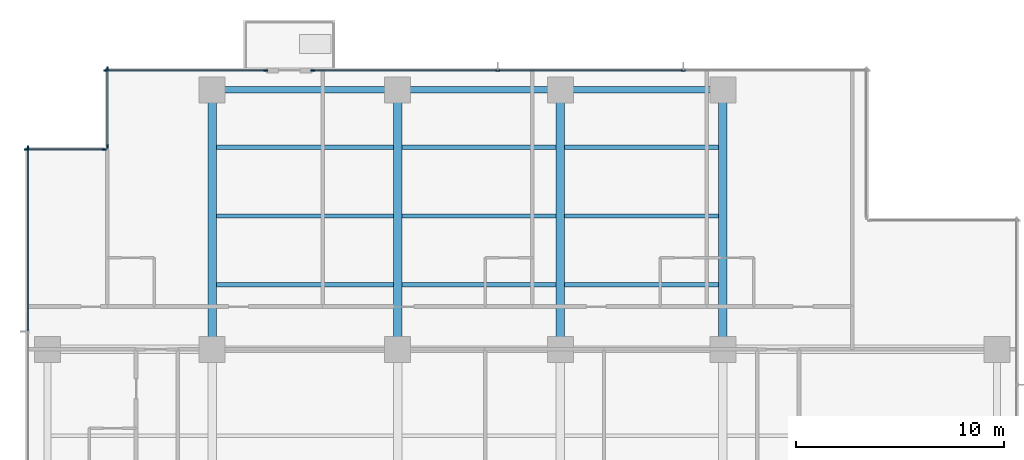
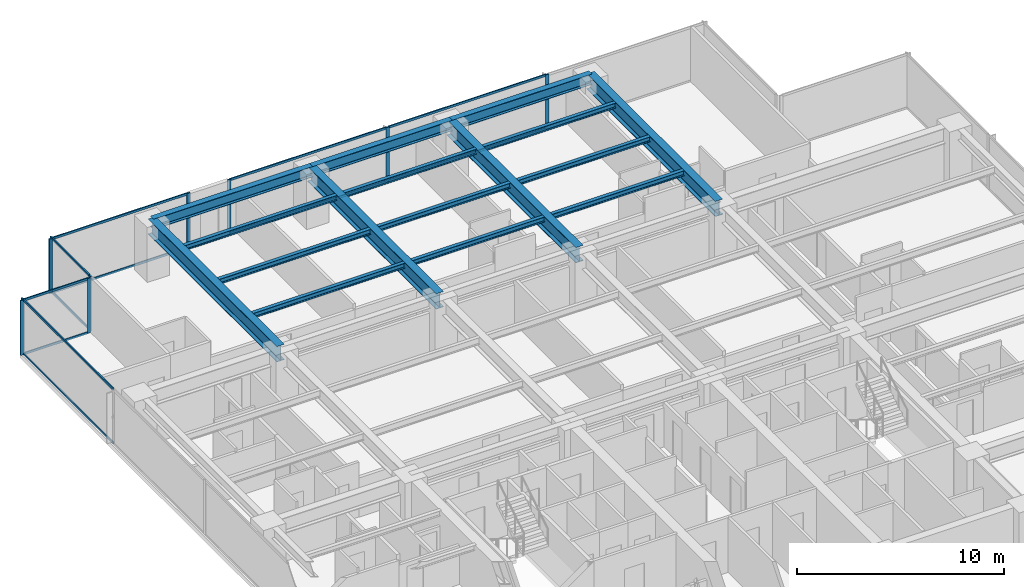
# One storey, part 5 of 18: 22 members, 16 beams, 5 elements without a shape of their own.
"""IFC4 building model written with IfcOpenShell, lengths in metres."""

from ifc_helpers import new_model, si_unit, direction, frame, origin, origin_2d, place, context, subcontext, project, spatial, rectangle, i_section, extrude, material, layer, layer_set, material_profile, profile_set, type_object, element, aggregate, save


model = new_model("IFC4")

# Units and contexts
model_context = context("Model", 3, precision=1e-05, world=origin(), true_north=direction((0.0, 1.0)))
body_context = subcontext(model_context, "Body", "Model", "MODEL_VIEW")
ifc_project = project(units=[si_unit("LENGTHUNIT", "METRE"), si_unit("AREAUNIT", "SQUARE_METRE"), si_unit("VOLUMEUNIT", "CUBIC_METRE"), si_unit("PLANEANGLEUNIT", "RADIAN"), si_unit("MASSUNIT", "GRAM", prefix="KILO")], contexts=[model_context])

# Site, building, storey
site_placement = place(None, origin())
site = spatial("IfcSite", under=ifc_project, at=site_placement, CompositionType="ELEMENT")
building_placement = place(site_placement, origin())
building = spatial("IfcBuilding", under=site, at=building_placement, Name="Qalmaran Belvedere Hotel", CompositionType="ELEMENT")
storey_placement = place(building_placement, frame((0.0, 0.0, 95.199951171875)))
storey = spatial("IfcBuildingStorey", under=building, at=storey_placement, Name="L23", CompositionType="ELEMENT", Elevation=95.199951171875)

# Beams
ifc_material_1 = material(Name="Steel S355JR", Category="steel")
ifc_material_profile_1 = material_profile(ifc_material_1, i_section(OverallWidth=0.202880859375, OverallDepth=0.302978515625, WebThickness=0.007568359375, FlangeThickness=0.01318359375, FilletRadius=0.012939453125, at=origin_2d()), Name="W310X60")
ifc_profile_set_1 = profile_set([ifc_material_profile_1], Name="Steel S355JR")
beam_type_1 = type_object("IfcBeamType", Name="BM-JST-W310X60", PredefinedType="JOIST", material=ifc_profile_set_1)
beam_1_placement = place(storey_placement, frame((20.507080078125, 36.10009765625, 3.088623046875), z_axis=(1.0, 0.0, 0.0), x_axis=(0.0, 1.0, 0.0)))
element("IfcBeam", 1, at=beam_1_placement, inside=storey, type_object=beam_type_1, Name="L23 North Floor Joist 042", PredefinedType="JOIST", context=body_context, shape_type="SweptSolid", body=[
    extrude(i_section(OverallWidth=0.202880859375, OverallDepth=0.302978515625, WebThickness=0.007568359375, FlangeThickness=0.01318359375, FilletRadius=0.012939453125, at=origin_2d()), origin(), (0.0, 0.0, 1.0), 8.48583984375),
])
for number, where, z_axis, x_axis, name in (
    (2, (29.406982421875, 36.10009765625, 3.088623046875), (1.0, 0.0, 0.0), (0.0, 1.0, 0.0), "L23 North Floor Joist 043"),
    (3, (37.20703125, 36.10009765625, 3.088623046875), (1.0, 0.0, 0.0), (0.0, 1.0, 0.0), "L23 North Floor Joist 044"),
):
    element("IfcBeam", number, at=place(storey_placement, frame(where, z_axis=z_axis, x_axis=x_axis)), inside=storey, type_object=beam_type_1, Name=name, PredefinedType="JOIST", context=body_context, shape_type="SweptSolid", body=[
        extrude(i_section(OverallWidth=0.202880859375, OverallDepth=0.302978515625, WebThickness=0.007568359375, FlangeThickness=0.01318359375, FilletRadius=0.012939453125, at=origin_2d()), origin(), (0.0, 0.0, 1.0), 7.385986328125),
    ])
beam_2_placement = place(storey_placement, frame((20.507080078125, 39.39990234375, 3.088623046875), z_axis=(1.0, 0.0, 0.0), x_axis=(0.0, 1.0, 0.0)))
element("IfcBeam", 4, at=beam_2_placement, inside=storey, type_object=beam_type_1, Name="L23 North Floor Joist 045", PredefinedType="JOIST", context=body_context, shape_type="SweptSolid", body=[
    extrude(i_section(OverallWidth=0.202880859375, OverallDepth=0.302978515625, WebThickness=0.007568359375, FlangeThickness=0.01318359375, FilletRadius=0.012939453125, at=origin_2d()), origin(), (0.0, 0.0, 1.0), 8.48583984375),
])
for number, where, z_axis, x_axis, name in (
    (5, (29.406982421875, 39.39990234375, 3.088623046875), (1.0, 0.0, 0.0), (0.0, 1.0, 0.0), "L23 North Floor Joist 046"),
    (6, (37.20703125, 39.39990234375, 3.088623046875), (1.0, 0.0, 0.0), (0.0, 1.0, 0.0), "L23 North Floor Joist 047"),
):
    element("IfcBeam", number, at=place(storey_placement, frame(where, z_axis=z_axis, x_axis=x_axis)), inside=storey, type_object=beam_type_1, Name=name, PredefinedType="JOIST", context=body_context, shape_type="SweptSolid", body=[
        extrude(i_section(OverallWidth=0.202880859375, OverallDepth=0.302978515625, WebThickness=0.007568359375, FlangeThickness=0.01318359375, FilletRadius=0.012939453125, at=origin_2d()), origin(), (0.0, 0.0, 1.0), 7.385986328125),
    ])
beam_3_placement = place(storey_placement, frame((20.507080078125, 42.699951171875, 3.088623046875), z_axis=(1.0, 0.0, 0.0), x_axis=(0.0, 1.0, 0.0)))
element("IfcBeam", 7, at=beam_3_placement, inside=storey, type_object=beam_type_1, Name="L23 North Floor Joist 048", PredefinedType="JOIST", context=body_context, shape_type="SweptSolid", body=[
    extrude(i_section(OverallWidth=0.202880859375, OverallDepth=0.302978515625, WebThickness=0.007568359375, FlangeThickness=0.01318359375, FilletRadius=0.012939453125, at=origin_2d()), origin(), (0.0, 0.0, 1.0), 8.48583984375),
])
for number, where, z_axis, x_axis, name in (
    (8, (29.406982421875, 42.699951171875, 3.088623046875), (1.0, 0.0, 0.0), (0.0, 1.0, 0.0), "L23 North Floor Joist 049"),
    (9, (37.20703125, 42.699951171875, 3.088623046875), (1.0, 0.0, 0.0), (0.0, 1.0, 0.0), "L23 North Floor Joist 050"),
):
    element("IfcBeam", number, at=place(storey_placement, frame(where, z_axis=z_axis, x_axis=x_axis)), inside=storey, type_object=beam_type_1, Name=name, PredefinedType="JOIST", context=body_context, shape_type="SweptSolid", body=[
        extrude(i_section(OverallWidth=0.202880859375, OverallDepth=0.302978515625, WebThickness=0.007568359375, FlangeThickness=0.01318359375, FilletRadius=0.012939453125, at=origin_2d()), origin(), (0.0, 0.0, 1.0), 7.385986328125),
    ])
ifc_material_profile_2 = material_profile(ifc_material_1, i_section(OverallWidth=0.41796875, OverallDepth=0.912109375, WebThickness=0.019287109375, FlangeThickness=0.031982421875, FilletRadius=0.02392578125, at=origin_2d()), Name="W920X342")
ifc_profile_set_2 = profile_set([ifc_material_profile_2], Name="Steel S355JR")
beam_type_2 = type_object("IfcBeamType", Name="BM-PG2-W920X342", PredefinedType="USERDEFINED", material=ifc_profile_set_2)
for number, where, z_axis, x_axis, name in (
    (10, (20.300048828125, 33.0, 2.783935546875), (0.0, 1.0, 0.0), (-1.0, 0.0, 0.0), "L23 North Bay Girder 15"),
    (11, (29.199951171875, 33.0, 2.783935546875), (0.0, 1.0, 0.0), (-1.0, 0.0, 0.0), "L23 North Bay Girder 17"),
    (12, (37.0, 33.0, 2.783935546875), (0.0, 1.0, 0.0), (-1.0, 0.0, 0.0), "L23 North Bay Girder 19"),
    (13, (44.800048828125, 33.0, 2.783935546875), (0.0, 1.0, 0.0), (-1.0, 0.0, 0.0), "L23 North Bay Girder 21"),
):
    element("IfcBeam", number, at=place(storey_placement, frame(where, z_axis=z_axis, x_axis=x_axis)), inside=storey, type_object=beam_type_2, Name=name, ObjectType="GIRDER", PredefinedType="USERDEFINED", context=body_context, shape_type="SweptSolid", body=[
        extrude(i_section(OverallWidth=0.41796875, OverallDepth=0.912109375, WebThickness=0.019287109375, FlangeThickness=0.031982421875, FilletRadius=0.02392578125, at=origin_2d()), origin(), (0.0, 0.0, 1.0), 12.449951171875),
    ])
ifc_material_profile_3 = material_profile(ifc_material_1, i_section(OverallWidth=0.326904296875, OverallDepth=0.6220703125, WebThickness=0.015380859375, FlangeThickness=0.0244140625, FilletRadius=0.02001953125, at=origin_2d()), Name="W610X195")
ifc_profile_set_3 = profile_set([ifc_material_profile_3], Name="Steel S355JR")
beam_type_3 = type_object("IfcBeamType", Name="BM-SP1-W610X195", PredefinedType="SPANDREL", material=ifc_profile_set_3)
beam_4_placement = place(storey_placement, frame((20.300048828125, 45.449951171875, 2.928955078125), z_axis=(1.0, 0.0, 0.0), x_axis=(0.0, 1.0, 0.0)))
element("IfcBeam", 14, at=beam_4_placement, inside=storey, type_object=beam_type_3, Name="L23 Perimeter Spandrel 05", PredefinedType="SPANDREL", context=body_context, shape_type="SweptSolid", body=[
    extrude(i_section(OverallWidth=0.326904296875, OverallDepth=0.6220703125, WebThickness=0.015380859375, FlangeThickness=0.0244140625, FilletRadius=0.02001953125, at=origin_2d()), origin(), (0.0, 0.0, 1.0), 8.89990234375),
])
for number, where, z_axis, x_axis, name in (
    (15, (29.199951171875, 45.449951171875, 2.928955078125), (1.0, 0.0, 0.0), (0.0, 1.0, 0.0), "L23 Perimeter Spandrel 06"),
    (16, (37.0, 45.449951171875, 2.928955078125), (1.0, 0.0, 0.0), (0.0, 1.0, 0.0), "L23 Perimeter Spandrel 07"),
):
    element("IfcBeam", number, at=place(storey_placement, frame(where, z_axis=z_axis, x_axis=x_axis)), inside=storey, type_object=beam_type_3, Name=name, PredefinedType="SPANDREL", context=body_context, shape_type="SweptSolid", body=[
        extrude(i_section(OverallWidth=0.326904296875, OverallDepth=0.6220703125, WebThickness=0.015380859375, FlangeThickness=0.0244140625, FilletRadius=0.02001953125, at=origin_2d()), origin(), (0.0, 0.0, 1.0), 7.800048828125),
    ])

# Curtain wall, members
ifc_material_2 = material(Name="Anodised Bronze Aluminium", Category="aluminium")
ifc_layer = layer(ifc_material_2, 0.199951171875, Name="Anodised Bronze Aluminium")
ifc_layer_set = layer_set([ifc_layer], Name="Anodised Bronze Aluminium")
curtain_wall_type = type_object("IfcCurtainWallType", Name="CW3-TOWER-LOWMID", PredefinedType="NOTDEFINED", material=ifc_layer_set)
curtain_wall_1_placement = place(storey_placement, origin())
curtain_wall_1 = element("IfcCurtainWall", 17, at=curtain_wall_1_placement, inside=storey, type_object=curtain_wall_type, Name="L23 Curtain Wall CW3", PredefinedType="NOTDEFINED")
ifc_material_profile_4 = material_profile(ifc_material_2, rectangle(XDim=0.070068359375, YDim=0.18994140625, at=origin_2d()), Name="CWM70X190")
ifc_profile_set_4 = profile_set([ifc_material_profile_4], Name="Anodised Bronze Aluminium")
member_type_1 = type_object("IfcMemberType", Name="CWM-70X190", PredefinedType="MULLION", material=ifc_profile_set_4)
member_1_placement = place(storey_placement, frame((22.864990234375, 46.3798828125, 0.0), z_axis=(0.0, 0.0, 1.0), x_axis=(0.0, -1.0, 0.0)))
member_1 = element("IfcMember", 18, at=member_1_placement, type_object=member_type_1, Name="CW3 mullion 1", PredefinedType="MULLION", context=body_context, shape_type="SweptSolid", body=[
    extrude(rectangle(XDim=0.070068359375, YDim=0.18994140625, at=origin_2d()), origin(), (0.0, 0.0, 1.0), 3.239990234375),
])
member_2_placement = place(storey_placement, frame((15.18505859375, 46.3798828125, 0.0), z_axis=(0.0, 0.0, 1.0), x_axis=(0.0, -1.0, 0.0)))
member_2 = element("IfcMember", 19, at=member_2_placement, type_object=member_type_1, Name="CW3 mullion 2", PredefinedType="MULLION", context=body_context, shape_type="SweptSolid", body=[
    extrude(rectangle(XDim=0.070068359375, YDim=0.18994140625, at=origin_2d()), origin(), (0.0, 0.0, 1.0), 3.239990234375),
])

curtain_wall_2_placement = place(storey_placement, origin())
curtain_wall_2 = element("IfcCurtainWall", 20, at=curtain_wall_2_placement, inside=storey, type_object=curtain_wall_type, Name="L23 Curtain Wall CW3", PredefinedType="NOTDEFINED")
member_3_placement = place(storey_placement, frame((42.89990234375, 46.3798828125, 0.0), z_axis=(0.0, 0.0, 1.0), x_axis=(0.0, -1.0, 0.0)))
member_3 = element("IfcMember", 21, at=member_3_placement, type_object=member_type_1, Name="CW3 mullion 2", PredefinedType="MULLION", context=body_context, shape_type="SweptSolid", body=[
    extrude(rectangle(XDim=0.070068359375, YDim=0.18994140625, at=origin_2d()), origin(), (0.0, 0.0, 1.0), 3.239990234375),
])
member_4_placement = place(storey_placement, frame((34.0, 46.3798828125, 0.0), z_axis=(0.0, 0.0, 1.0), x_axis=(0.0, -1.0, 0.0)))
member_4 = element("IfcMember", 22, at=member_4_placement, type_object=member_type_1, Name="CW3 mullion 3", PredefinedType="MULLION", context=body_context, shape_type="SweptSolid", body=[
    extrude(rectangle(XDim=0.070068359375, YDim=0.18994140625, at=origin_2d()), origin(), (0.0, 0.0, 1.0), 3.239990234375),
])
member_5_placement = place(storey_placement, frame((25.135009765625, 46.3798828125, 0.0), z_axis=(0.0, 0.0, 1.0), x_axis=(0.0, -1.0, 0.0)))
member_5 = element("IfcMember", 23, at=member_5_placement, type_object=member_type_1, Name="CW3 mullion 4", PredefinedType="MULLION", context=body_context, shape_type="SweptSolid", body=[
    extrude(rectangle(XDim=0.070068359375, YDim=0.18994140625, at=origin_2d()), origin(), (0.0, 0.0, 1.0), 3.239990234375),
])

curtain_wall_3_placement = place(storey_placement, origin())
curtain_wall_3 = element("IfcCurtainWall", 24, at=curtain_wall_3_placement, inside=storey, type_object=curtain_wall_type, Name="L23 Curtain Wall CW3", PredefinedType="NOTDEFINED")
member_6_placement = place(storey_placement, frame((15.27001953125, 46.465087890625, 0.0), z_axis=(0.0, 0.0, 1.0), x_axis=(1.0, 0.0, 0.0)))
member_6 = element("IfcMember", 25, at=member_6_placement, type_object=member_type_1, Name="CW3 mullion 1", PredefinedType="MULLION", context=body_context, shape_type="SweptSolid", body=[
    extrude(rectangle(XDim=0.070068359375, YDim=0.18994140625, at=origin_2d()), origin(), (0.0, 0.0, 1.0), 3.239990234375),
])
member_7_placement = place(storey_placement, frame((15.27001953125, 42.735107421875, 0.0), z_axis=(0.0, 0.0, 1.0), x_axis=(1.0, 0.0, 0.0)))
member_7 = element("IfcMember", 26, at=member_7_placement, type_object=member_type_1, Name="CW3 mullion 2", PredefinedType="MULLION", context=body_context, shape_type="SweptSolid", body=[
    extrude(rectangle(XDim=0.070068359375, YDim=0.18994140625, at=origin_2d()), origin(), (0.0, 0.0, 1.0), 3.239990234375),
])

curtain_wall_4_placement = place(storey_placement, origin())
curtain_wall_4 = element("IfcCurtainWall", 27, at=curtain_wall_4_placement, inside=storey, type_object=curtain_wall_type, Name="L23 Curtain Wall CW3", PredefinedType="NOTDEFINED")
member_8_placement = place(storey_placement, frame((15.114990234375, 42.580078125, 0.0), z_axis=(0.0, 0.0, 1.0), x_axis=(0.0, -1.0, 0.0)))
member_8 = element("IfcMember", 28, at=member_8_placement, type_object=member_type_1, Name="CW3 mullion 1", PredefinedType="MULLION", context=body_context, shape_type="SweptSolid", body=[
    extrude(rectangle(XDim=0.070068359375, YDim=0.18994140625, at=origin_2d()), origin(), (0.0, 0.0, 1.0), 3.239990234375),
])
member_9_placement = place(storey_placement, frame((11.385009765625, 42.580078125, 0.0), z_axis=(0.0, 0.0, 1.0), x_axis=(0.0, -1.0, 0.0)))
member_9 = element("IfcMember", 29, at=member_9_placement, type_object=member_type_1, Name="CW3 mullion 2", PredefinedType="MULLION", context=body_context, shape_type="SweptSolid", body=[
    extrude(rectangle(XDim=0.070068359375, YDim=0.18994140625, at=origin_2d()), origin(), (0.0, 0.0, 1.0), 3.239990234375),
])

# Curtain wall, member
curtain_wall_5_placement = place(storey_placement, origin())
curtain_wall_5 = element("IfcCurtainWall", 30, at=curtain_wall_5_placement, inside=storey, type_object=curtain_wall_type, Name="L23 Curtain Wall CW3", PredefinedType="NOTDEFINED")
member_10_placement = place(storey_placement, frame((11.469970703125, 42.6650390625, 0.0), z_axis=(0.0, 0.0, 1.0), x_axis=(1.0, 0.0, 0.0)))
member_10 = element("IfcMember", 31, at=member_10_placement, type_object=member_type_1, Name="CW3 mullion 1", PredefinedType="MULLION", context=body_context, shape_type="SweptSolid", body=[
    extrude(rectangle(XDim=0.070068359375, YDim=0.18994140625, at=origin_2d()), origin(), (0.0, 0.0, 1.0), 3.239990234375),
])

# Member
ifc_material_profile_5 = material_profile(ifc_material_2, rectangle(XDim=0.06494140625, YDim=0.1298828125, at=origin_2d()), Name="CWT65X130")
ifc_profile_set_5 = profile_set([ifc_material_profile_5], Name="Anodised Bronze Aluminium")
member_type_2 = type_object("IfcMemberType", Name="CWT-65X130", PredefinedType="USERDEFINED", material=ifc_profile_set_5)
member_11_placement = place(storey_placement, frame((22.830078125, 46.3798828125, 0.032470703125), z_axis=(-1.0, 0.0, 0.0), x_axis=(0.0, -1.0, 0.0)))
member_11 = element("IfcMember", 32, at=member_11_placement, type_object=member_type_2, Name="CW3 transom 1.1", ObjectType="TRANSOM", PredefinedType="USERDEFINED", context=body_context, shape_type="SweptSolid", body=[
    extrude(rectangle(XDim=0.06494140625, YDim=0.1298828125, at=origin_2d()), origin(), (0.0, 0.0, 1.0), 7.610107421875),
])

member_12_placement = place(storey_placement, frame((22.830078125, 46.3798828125, 3.20751953125), z_axis=(-1.0, 0.0, 0.0), x_axis=(0.0, -1.0, 0.0)))
member_12 = element("IfcMember", 33, at=member_12_placement, type_object=member_type_2, Name="CW3 transom 1.2", ObjectType="TRANSOM", PredefinedType="USERDEFINED", context=body_context, shape_type="SweptSolid", body=[
    extrude(rectangle(XDim=0.06494140625, YDim=0.1298828125, at=origin_2d()), origin(), (0.0, 0.0, 1.0), 7.610107421875),
])

aggregate(curtain_wall_1, [member_1, member_2, member_11, member_12])

member_13_placement = place(storey_placement, frame((42.864990234375, 46.3798828125, 0.032470703125), z_axis=(-1.0, 0.0, 0.0), x_axis=(0.0, -1.0, 0.0)))
member_13 = element("IfcMember", 34, at=member_13_placement, type_object=member_type_2, Name="CW3 transom 2.1", ObjectType="TRANSOM", PredefinedType="USERDEFINED", context=body_context, shape_type="SweptSolid", body=[
    extrude(rectangle(XDim=0.06494140625, YDim=0.1298828125, at=origin_2d()), origin(), (0.0, 0.0, 1.0), 8.830078125),
])

member_14_placement = place(storey_placement, frame((42.864990234375, 46.3798828125, 3.20751953125), z_axis=(-1.0, 0.0, 0.0), x_axis=(0.0, -1.0, 0.0)))
member_14 = element("IfcMember", 35, at=member_14_placement, type_object=member_type_2, Name="CW3 transom 2.2", ObjectType="TRANSOM", PredefinedType="USERDEFINED", context=body_context, shape_type="SweptSolid", body=[
    extrude(rectangle(XDim=0.06494140625, YDim=0.1298828125, at=origin_2d()), origin(), (0.0, 0.0, 1.0), 8.830078125),
])

member_15_placement = place(storey_placement, frame((33.965087890625, 46.3798828125, 0.032470703125), z_axis=(-1.0, 0.0, 0.0), x_axis=(0.0, -1.0, 0.0)))
member_15 = element("IfcMember", 36, at=member_15_placement, type_object=member_type_2, Name="CW3 transom 3.1", ObjectType="TRANSOM", PredefinedType="USERDEFINED", context=body_context, shape_type="SweptSolid", body=[
    extrude(rectangle(XDim=0.06494140625, YDim=0.1298828125, at=origin_2d()), origin(), (0.0, 0.0, 1.0), 8.795166015625),
])

member_16_placement = place(storey_placement, frame((33.965087890625, 46.3798828125, 3.20751953125), z_axis=(-1.0, 0.0, 0.0), x_axis=(0.0, -1.0, 0.0)))
member_16 = element("IfcMember", 37, at=member_16_placement, type_object=member_type_2, Name="CW3 transom 3.2", ObjectType="TRANSOM", PredefinedType="USERDEFINED", context=body_context, shape_type="SweptSolid", body=[
    extrude(rectangle(XDim=0.06494140625, YDim=0.1298828125, at=origin_2d()), origin(), (0.0, 0.0, 1.0), 8.795166015625),
])

aggregate(curtain_wall_2, [member_3, member_4, member_5, member_13, member_14, member_15, member_16])

member_17_placement = place(storey_placement, frame((15.27001953125, 46.429931640625, 0.032470703125), z_axis=(0.0, -1.0, 0.0), x_axis=(1.0, 0.0, 0.0)))
member_17 = element("IfcMember", 38, at=member_17_placement, type_object=member_type_2, Name="CW3 transom 1.1", ObjectType="TRANSOM", PredefinedType="USERDEFINED", context=body_context, shape_type="SweptSolid", body=[
    extrude(rectangle(XDim=0.06494140625, YDim=0.1298828125, at=origin_2d()), origin(), (0.0, 0.0, 1.0), 3.659912109375),
])

member_18_placement = place(storey_placement, frame((15.27001953125, 46.429931640625, 3.20751953125), z_axis=(0.0, -1.0, 0.0), x_axis=(1.0, 0.0, 0.0)))
member_18 = element("IfcMember", 39, at=member_18_placement, type_object=member_type_2, Name="CW3 transom 1.2", ObjectType="TRANSOM", PredefinedType="USERDEFINED", context=body_context, shape_type="SweptSolid", body=[
    extrude(rectangle(XDim=0.06494140625, YDim=0.1298828125, at=origin_2d()), origin(), (0.0, 0.0, 1.0), 3.659912109375),
])

aggregate(curtain_wall_3, [member_6, member_7, member_17, member_18])

member_19_placement = place(storey_placement, frame((15.080078125, 42.580078125, 0.032470703125), z_axis=(-1.0, 0.0, 0.0), x_axis=(0.0, -1.0, 0.0)))
member_19 = element("IfcMember", 40, at=member_19_placement, type_object=member_type_2, Name="CW3 transom 1.1", ObjectType="TRANSOM", PredefinedType="USERDEFINED", context=body_context, shape_type="SweptSolid", body=[
    extrude(rectangle(XDim=0.06494140625, YDim=0.1298828125, at=origin_2d()), origin(), (0.0, 0.0, 1.0), 3.66015625),
])

member_20_placement = place(storey_placement, frame((15.080078125, 42.580078125, 3.20751953125), z_axis=(-1.0, 0.0, 0.0), x_axis=(0.0, -1.0, 0.0)))
member_20 = element("IfcMember", 41, at=member_20_placement, type_object=member_type_2, Name="CW3 transom 1.2", ObjectType="TRANSOM", PredefinedType="USERDEFINED", context=body_context, shape_type="SweptSolid", body=[
    extrude(rectangle(XDim=0.06494140625, YDim=0.1298828125, at=origin_2d()), origin(), (0.0, 0.0, 1.0), 3.66015625),
])

aggregate(curtain_wall_4, [member_8, member_9, member_19, member_20])

member_21_placement = place(storey_placement, frame((11.469970703125, 42.6298828125, 0.032470703125), z_axis=(0.0, -1.0, 0.0), x_axis=(1.0, 0.0, 0.0)))
member_21 = element("IfcMember", 42, at=member_21_placement, type_object=member_type_2, Name="CW3 transom 1.1", ObjectType="TRANSOM", PredefinedType="USERDEFINED", context=body_context, shape_type="SweptSolid", body=[
    extrude(rectangle(XDim=0.06494140625, YDim=0.1298828125, at=origin_2d()), origin(), (0.0, 0.0, 1.0), 8.744873046875),
])

member_22_placement = place(storey_placement, frame((11.469970703125, 42.6298828125, 3.20751953125), z_axis=(0.0, -1.0, 0.0), x_axis=(1.0, 0.0, 0.0)))
member_22 = element("IfcMember", 43, at=member_22_placement, type_object=member_type_2, Name="CW3 transom 1.2", ObjectType="TRANSOM", PredefinedType="USERDEFINED", context=body_context, shape_type="SweptSolid", body=[
    extrude(rectangle(XDim=0.06494140625, YDim=0.1298828125, at=origin_2d()), origin(), (0.0, 0.0, 1.0), 8.744873046875),
])

aggregate(curtain_wall_5, [member_10, member_21, member_22])

save(model, "model.ifc")
